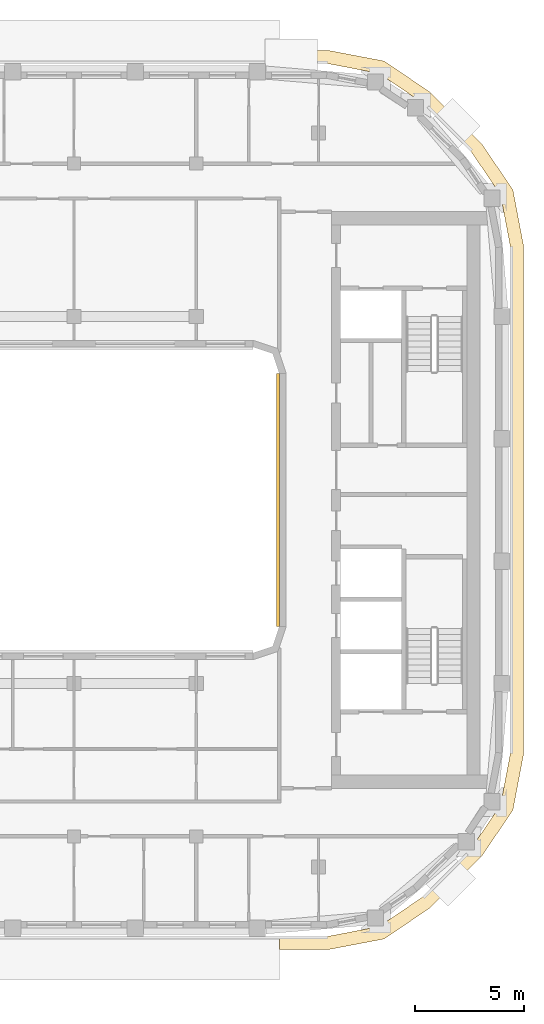
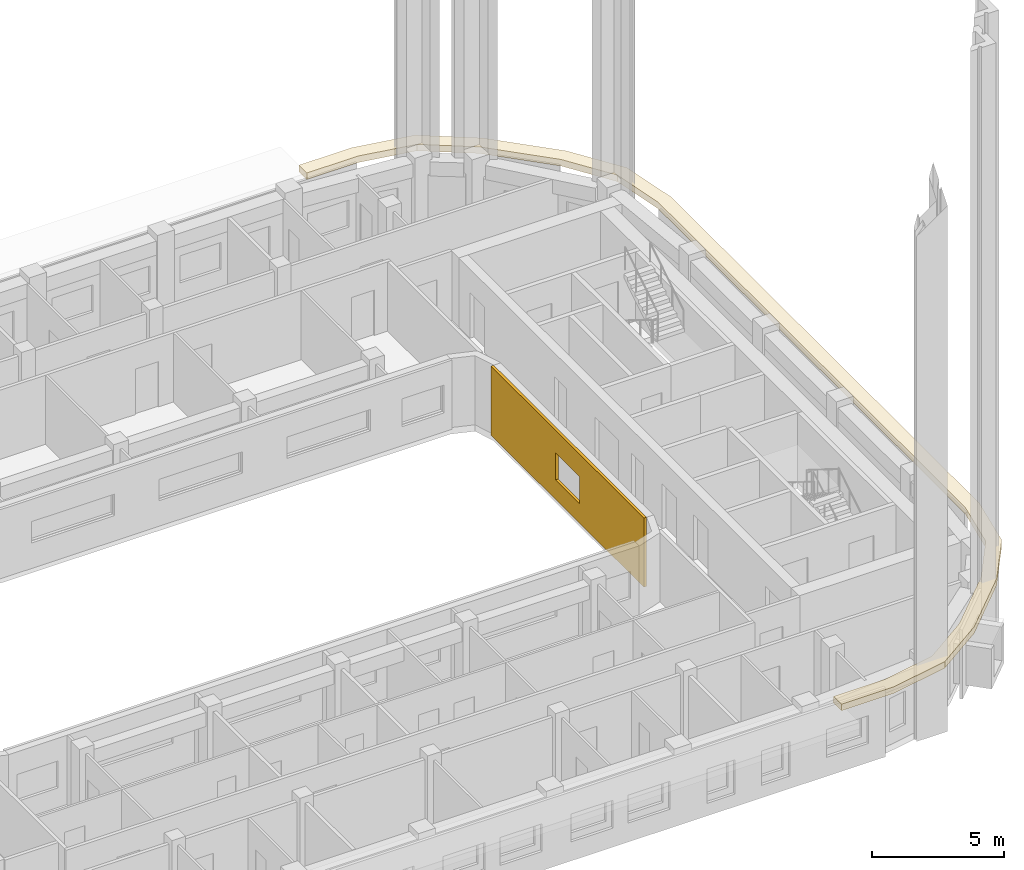
# One storey, part 13 of 15: 2 coverings.
"""IFC4 building model written with IfcOpenShell, lengths in metres."""

from ifc_helpers import new_model, si_unit, direction, frame, origin, place, context, subcontext, project, spatial, polyline, outline, extrude, material, layer, layer_set, type_object, element, save


model = new_model("IFC4")

# Units and contexts
model_context = context("Model", 3, precision=1e-05, world=origin(), true_north=direction((0.0, 1.0)))
body_context = subcontext(model_context, "Body", "Model", "MODEL_VIEW")
ifc_project = project(units=[si_unit("LENGTHUNIT", "METRE"), si_unit("AREAUNIT", "SQUARE_METRE"), si_unit("VOLUMEUNIT", "CUBIC_METRE"), si_unit("PLANEANGLEUNIT", "RADIAN"), si_unit("MASSUNIT", "GRAM", prefix="KILO")], contexts=[model_context])

# Site, building, storey
site_placement = place(None, origin())
site = spatial("IfcSite", under=ifc_project, at=site_placement, CompositionType="ELEMENT")
building_placement = place(site_placement, origin())
building = spatial("IfcBuilding", under=site, at=building_placement, Name="Kiln Ring Residences", CompositionType="ELEMENT")
storey_placement = place(building_placement, frame((0.0, 0.0, 266.199951171875)))
storey = spatial("IfcBuildingStorey", under=building, at=storey_placement, Name="L69", CompositionType="ELEMENT", Elevation=266.199951171875)

# Coverings
ifc_material_1 = material(Name="Brick masonry, dark clay brick", Category="masonry")
ifc_layer_1 = layer(ifc_material_1, 0.1201171875)
ifc_layer_set_1 = layer_set([ifc_layer_1], Name="RAINSCREEN PANEL 120")
covering_type_1 = type_object("IfcCoveringType", Name="RAINSCREEN PANEL 120", PredefinedType="CLADDING", material=ifc_layer_set_1)
covering_1_placement = place(storey_placement, frame((14.93994140625, 5.800048828125, 0.0), z_axis=(0.0, 0.0, 1.0), x_axis=(0.0, -1.0, 0.0)))
element("IfcCovering", 1, at=covering_1_placement, inside=storey, type_object=covering_type_1, Name="RAINSCREEN L69", PredefinedType="CLADDING", context=body_context, shape_type="SweptSolid", body=[
    extrude(outline(polyline([(0.0, 0.0), (11.60009765625, 0.0), (11.60009765625, 3.199951171875), (0.0, 3.199951171875), (0.0, 0.0)]), holes=[polyline([(4.89990234375, 2.150146484375), (4.89990234375, 0.900146484375), (6.699951171875, 0.900146484375), (6.699951171875, 2.150146484375), (4.89990234375, 2.150146484375)])]), frame((0.0, 0.06005859375, 0.0), z_axis=(0.0, -1.0, 0.0), x_axis=(1.0, 0.0, 0.0)), (0.0, 0.0, 1.0), 0.1201171875),
])
ifc_material_2 = material(Name="Black powder-coated steel", Category="steel")
ifc_layer_2 = layer(ifc_material_2, 0.300048828125)
ifc_layer_set_2 = layer_set([ifc_layer_2], Name="SUNSHADE FIN 600")
covering_type_2 = type_object("IfcCoveringType", Name="SUNSHADE FIN 600", PredefinedType="CLADDING", material=ifc_layer_set_2)
covering_2_placement = place(storey_placement, frame((0.0, 0.0, 3.199951171875)))
element("IfcCovering", 2, at=covering_2_placement, inside=storey, type_object=covering_type_2, Name="SUNSHADE FIN L69", PredefinedType="CLADDING", context=body_context, shape_type="SweptSolid", body=[
    extrude(outline(polyline([(17.292236328125, 20.574951171875), (15.0, 20.574951171875), (15.0, 19.97509765625), (17.2353515625, 19.97509765625), (19.57080078125, 19.529541015625), (21.537109375, 18.193115234375), (23.793212890625, 15.937255859375), (25.12939453125, 13.970703125), (25.574951171875, 11.635498046875), (25.574951171875, -11.635498046875), (25.12939453125, -13.970703125), (23.793212890625, -15.937255859375), (21.537109375, -18.193115234375), (19.57080078125, -19.529541015625), (17.2353515625, -19.97509765625), (15.0, -19.97509765625), (15.0, -20.574951171875), (17.292236328125, -20.574951171875), (19.805419921875, -20.095703125), (21.92138671875, -18.657470703125), (24.257568359375, -16.3212890625), (25.695556640625, -14.205322265625), (26.175048828125, -11.692138671875), (26.175048828125, 11.692138671875), (25.695556640625, 14.205322265625), (24.257568359375, 16.3212890625), (21.92138671875, 18.657470703125), (19.805419921875, 20.095703125), (17.292236328125, 20.574951171875)])), origin(), (0.0, 0.0, 1.0), 0.300048828125),
])

save(model, "model.ifc")
